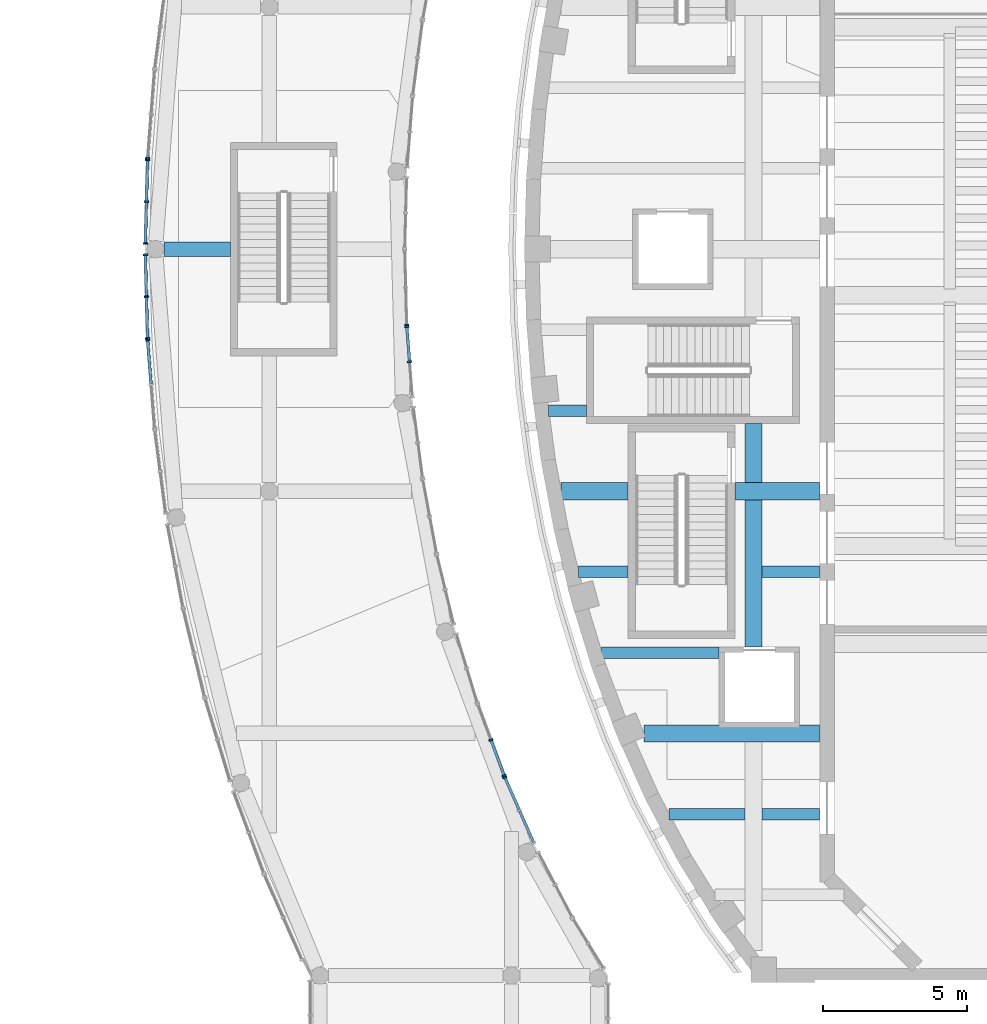
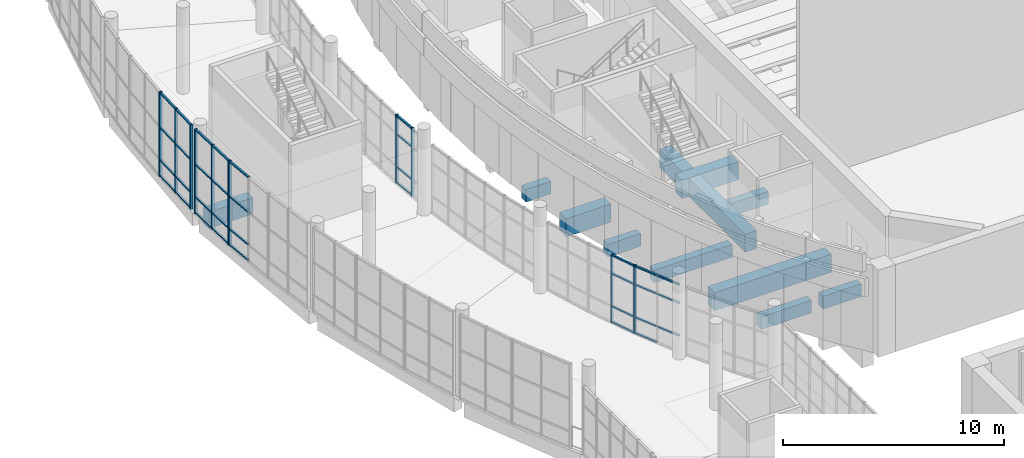
# One storey, part 18 of 119: 49 members, 11 beams, 8 elements without a shape of their own.
"""IFC4 building model written with IfcOpenShell, lengths in metres."""

from ifc_helpers import new_model, si_unit, direction, frame, origin, origin_2d, place, context, subcontext, project, spatial, rectangle, extrude, material, layer, layer_set, material_profile, profile_set, type_object, element, aggregate, save


model = new_model("IFC4")

# Units and contexts
model_context = context("Model", 3, precision=1e-05, world=origin(), true_north=direction((0.0, 1.0)))
body_context = subcontext(model_context, "Body", "Model", "MODEL_VIEW")
ifc_project = project(units=[si_unit("LENGTHUNIT", "METRE"), si_unit("AREAUNIT", "SQUARE_METRE"), si_unit("VOLUMEUNIT", "CUBIC_METRE"), si_unit("PLANEANGLEUNIT", "RADIAN"), si_unit("MASSUNIT", "GRAM", prefix="KILO")], contexts=[model_context])

# Site, building, storey
site_placement = place(None, origin())
site = spatial("IfcSite", under=ifc_project, at=site_placement, CompositionType="ELEMENT")
building_placement = place(site_placement, origin())
building = spatial("IfcBuilding", under=site, at=building_placement, Name="Larchfold Concert Hall", CompositionType="ELEMENT")
storey_placement = place(building_placement, frame((0.0, 0.0, 4.800048828125)))
storey = spatial("IfcBuildingStorey", under=building, at=storey_placement, Name="L01", CompositionType="ELEMENT", Elevation=4.800048828125)

# Curtain wall, member
ifc_material_1 = material(Name="Anodised graphite aluminium curtain wall", Category="aluminium")
ifc_layer = layer(ifc_material_1, 0.14990234375)
ifc_layer_set = layer_set([ifc_layer], Name="Anodised graphite aluminium curtain wall")
curtain_wall_type = type_object("IfcCurtainWallType", Name="Curtain wall WG", PredefinedType="NOTDEFINED", material=ifc_layer_set)
curtain_wall_1_placement = place(storey_placement, origin())
curtain_wall_1 = element("IfcCurtainWall", 1, at=curtain_wall_1_placement, inside=storey, type_object=curtain_wall_type, Name="Curtain wall CW0139", PredefinedType="NOTDEFINED")
ifc_material_2 = material(Name="Anodised graphite aluminium mullion", Category="aluminium")
ifc_material_profile_1 = material_profile(ifc_material_2, rectangle(XDim=0.14990234375, YDim=0.06005859375, at=origin_2d()))
ifc_profile_set_1 = profile_set([ifc_material_profile_1], Name="Anodised graphite aluminium mullion")
member_type_1 = type_object("IfcMemberType", Name="Aluminium mullion 60x150", PredefinedType="MULLION", material=ifc_profile_set_1)
member_1_placement = place(storey_placement, frame((17.16845703125, 66.276611328125, 0.0), z_axis=(0.0, 0.0, 1.0), x_axis=(-0.914747417506, -0.40402618995, 0.0)))
member_1 = element("IfcMember", 2, at=member_1_placement, type_object=member_type_1, Name="CW0139 mullion 3", PredefinedType="MULLION", context=body_context, shape_type="SweptSolid", body=[
    extrude(rectangle(XDim=0.14990234375, YDim=0.06005859375, at=origin_2d()), origin(), (0.0, 0.0, 1.0), 3.75),
])

# Curtain wall, members
curtain_wall_2_placement = place(storey_placement, origin())
curtain_wall_2 = element("IfcCurtainWall", 3, at=curtain_wall_2_placement, inside=storey, type_object=curtain_wall_type, Name="Curtain wall CW0140", PredefinedType="NOTDEFINED")
member_2_placement = place(storey_placement, frame((17.145751953125, 66.33203125, 0.0), z_axis=(0.0, 0.0, 1.0), x_axis=(-0.938001528432, -0.346631119, 0.0)))
member_2 = element("IfcMember", 4, at=member_2_placement, type_object=member_type_1, Name="CW0140 mullion 1", PredefinedType="MULLION", context=body_context, shape_type="SweptSolid", body=[
    extrude(rectangle(XDim=0.14990234375, YDim=0.06005859375, at=origin_2d()), origin(), (0.0, 0.0, 1.0), 3.75),
])
member_3_placement = place(storey_placement, frame((16.688232421875, 67.5703125, 0.0), z_axis=(0.0, 0.0, 1.0), x_axis=(-0.938001528432, -0.346631119, 0.0)))
member_3 = element("IfcMember", 5, at=member_3_placement, type_object=member_type_1, Name="CW0140 mullion 2", PredefinedType="MULLION", context=body_context, shape_type="SweptSolid", body=[
    extrude(rectangle(XDim=0.14990234375, YDim=0.06005859375, at=origin_2d()), origin(), (0.0, 0.0, 1.0), 3.75),
])

curtain_wall_3_placement = place(storey_placement, origin())
curtain_wall_3 = element("IfcCurtainWall", 6, at=curtain_wall_3_placement, inside=storey, type_object=curtain_wall_type, Name="Curtain wall CW0145", PredefinedType="NOTDEFINED")
member_4_placement = place(storey_placement, frame((13.8642578125, 80.693359375, 0.0), z_axis=(0.0, 0.0, 1.0), x_axis=(-0.996988627345, -0.077547900972, 0.0)))
member_4 = element("IfcMember", 7, at=member_4_placement, type_object=member_type_1, Name="CW0145 mullion 2", PredefinedType="MULLION", context=body_context, shape_type="SweptSolid", body=[
    extrude(rectangle(XDim=0.14990234375, YDim=0.06005859375, at=origin_2d()), origin(), (0.0, 0.0, 1.0), 3.75),
])
member_5_placement = place(storey_placement, frame((13.769775390625, 81.909423828125, 0.0), z_axis=(0.0, 0.0, 1.0), x_axis=(-0.996988627345, -0.077547900972, 0.0)))
member_5 = element("IfcMember", 8, at=member_5_placement, type_object=member_type_1, Name="CW0145 mullion 3", PredefinedType="MULLION", context=body_context, shape_type="SweptSolid", body=[
    extrude(rectangle(XDim=0.14990234375, YDim=0.06005859375, at=origin_2d()), origin(), (0.0, 0.0, 1.0), 3.75),
])

# Curtain wall, member
curtain_wall_4_placement = place(storey_placement, origin())
curtain_wall_4 = element("IfcCurtainWall", 9, at=curtain_wall_4_placement, inside=storey, type_object=curtain_wall_type, Name="Curtain wall CW0146", PredefinedType="NOTDEFINED")
member_6_placement = place(storey_placement, frame((13.7666015625, 81.969482421875, 0.0), z_axis=(0.0, 0.0, 1.0), x_axis=(-0.999667744222, -0.02577598033, 0.0)))
member_6 = element("IfcMember", 10, at=member_6_placement, type_object=member_type_1, Name="CW0146 mullion 1", PredefinedType="MULLION", context=body_context, shape_type="SweptSolid", body=[
    extrude(rectangle(XDim=0.14990234375, YDim=0.06005859375, at=origin_2d()), origin(), (0.0, 0.0, 1.0), 3.75),
])
aggregate(curtain_wall_4, [member_6])

curtain_wall_5_placement = place(storey_placement, origin())
curtain_wall_5 = element("IfcCurtainWall", 11, at=curtain_wall_5_placement, inside=storey, type_object=curtain_wall_type, Name="Curtain wall CW0194", PredefinedType="NOTDEFINED")
member_7_placement = place(storey_placement, frame((4.77880859375, 87.755859375, 0.0), z_axis=(0.0, 0.0, 1.0), x_axis=(0.996995051834, -0.077465260721, 0.0)))
member_7 = element("IfcMember", 12, at=member_7_placement, type_object=member_type_1, Name="CW0194 mullion 3", PredefinedType="MULLION", context=body_context, shape_type="SweptSolid", body=[
    extrude(rectangle(XDim=0.14990234375, YDim=0.06005859375, at=origin_2d()), origin(), (0.0, 0.0, 1.0), 4.64990234375),
])
aggregate(curtain_wall_5, [member_7])

# Curtain wall, members
curtain_wall_6_placement = place(storey_placement, origin())
curtain_wall_6 = element("IfcCurtainWall", 13, at=curtain_wall_6_placement, inside=storey, type_object=curtain_wall_type, Name="Curtain wall CW0195", PredefinedType="NOTDEFINED")
member_8_placement = place(storey_placement, frame((4.775634765625, 87.69580078125, 0.0), z_axis=(0.0, 0.0, 1.0), x_axis=(0.999666589289, -0.025820733125, 0.0)))
member_8 = element("IfcMember", 14, at=member_8_placement, type_object=member_type_1, Name="CW0195 mullion 1", PredefinedType="MULLION", context=body_context, shape_type="SweptSolid", body=[
    extrude(rectangle(XDim=0.14990234375, YDim=0.06005859375, at=origin_2d()), origin(), (0.0, 0.0, 1.0), 4.64990234375),
])
member_9_placement = place(storey_placement, frame((4.73828125, 86.24658203125, 0.0), z_axis=(0.0, 0.0, 1.0), x_axis=(0.999666589289, -0.025820733125, 0.0)))
member_9 = element("IfcMember", 15, at=member_9_placement, type_object=member_type_1, Name="CW0195 mullion 2", PredefinedType="MULLION", context=body_context, shape_type="SweptSolid", body=[
    extrude(rectangle(XDim=0.14990234375, YDim=0.06005859375, at=origin_2d()), origin(), (0.0, 0.0, 1.0), 4.64990234375),
])
member_10_placement = place(storey_placement, frame((4.70068359375, 84.79736328125, 0.0), z_axis=(0.0, 0.0, 1.0), x_axis=(0.999666589289, -0.025820733125, 0.0)))
member_10 = element("IfcMember", 16, at=member_10_placement, type_object=member_type_1, Name="CW0195 mullion 3", PredefinedType="MULLION", context=body_context, shape_type="SweptSolid", body=[
    extrude(rectangle(XDim=0.14990234375, YDim=0.06005859375, at=origin_2d()), origin(), (0.0, 0.0, 1.0), 4.64990234375),
])

curtain_wall_7_placement = place(storey_placement, origin())
curtain_wall_7 = element("IfcCurtainWall", 17, at=curtain_wall_7_placement, inside=storey, type_object=curtain_wall_type, Name="Curtain wall CW0196", PredefinedType="NOTDEFINED")
member_11_placement = place(storey_placement, frame((4.70068359375, 84.40283203125, 0.0), z_axis=(0.0, 0.0, 1.0), x_axis=(0.999666589289, 0.025820733125, 0.0)))
member_11 = element("IfcMember", 18, at=member_11_placement, type_object=member_type_1, Name="CW0196 mullion 1", PredefinedType="MULLION", context=body_context, shape_type="SweptSolid", body=[
    extrude(rectangle(XDim=0.14990234375, YDim=0.06005859375, at=origin_2d()), origin(), (0.0, 0.0, 1.0), 4.64990234375),
])
member_12_placement = place(storey_placement, frame((4.73828125, 82.95361328125, 0.0), z_axis=(0.0, 0.0, 1.0), x_axis=(0.999666589289, 0.025820733125, 0.0)))
member_12 = element("IfcMember", 19, at=member_12_placement, type_object=member_type_1, Name="CW0196 mullion 2", PredefinedType="MULLION", context=body_context, shape_type="SweptSolid", body=[
    extrude(rectangle(XDim=0.14990234375, YDim=0.06005859375, at=origin_2d()), origin(), (0.0, 0.0, 1.0), 4.64990234375),
])
member_13_placement = place(storey_placement, frame((4.775634765625, 81.50439453125, 0.0), z_axis=(0.0, 0.0, 1.0), x_axis=(0.999666589289, 0.025820733125, 0.0)))
member_13 = element("IfcMember", 20, at=member_13_placement, type_object=member_type_1, Name="CW0196 mullion 3", PredefinedType="MULLION", context=body_context, shape_type="SweptSolid", body=[
    extrude(rectangle(XDim=0.14990234375, YDim=0.06005859375, at=origin_2d()), origin(), (0.0, 0.0, 1.0), 4.64990234375),
])

# Curtain wall, member
curtain_wall_8_placement = place(storey_placement, origin())
curtain_wall_8 = element("IfcCurtainWall", 21, at=curtain_wall_8_placement, inside=storey, type_object=curtain_wall_type, Name="Curtain wall CW0197", PredefinedType="NOTDEFINED")
member_14_placement = place(storey_placement, frame((4.77880859375, 81.4443359375, 0.0), z_axis=(0.0, 0.0, 1.0), x_axis=(0.996995051833, 0.077465260739, 0.0)))
member_14 = element("IfcMember", 22, at=member_14_placement, type_object=member_type_1, Name="CW0197 mullion 1", PredefinedType="MULLION", context=body_context, shape_type="SweptSolid", body=[
    extrude(rectangle(XDim=0.14990234375, YDim=0.06005859375, at=origin_2d()), origin(), (0.0, 0.0, 1.0), 4.64990234375),
])

# Member
ifc_material_3 = material(Name="Anodised graphite aluminium transom", Category="aluminium")
ifc_material_profile_2 = material_profile(ifc_material_3, rectangle(XDim=0.10009765625, YDim=0.080078125, at=origin_2d()))
ifc_profile_set_2 = profile_set([ifc_material_profile_2], Name="Anodised graphite aluminium transom")
member_type_2 = type_object("IfcMemberType", Name="Aluminium transom 80x100", PredefinedType="USERDEFINED", material=ifc_profile_set_2)
member_15_placement = place(storey_placement, frame((18.163818359375, 64.02294921875, 0.89990234375), z_axis=(-0.403999745193, 0.914759097186, 0.0), x_axis=(-0.914759097186, -0.403999745193, 0.0)))
member_15 = element("IfcMember", 23, at=member_15_placement, type_object=member_type_2, Name="CW0139 transom 1.2", ObjectType="TRANSOM", PredefinedType="USERDEFINED", context=body_context, shape_type="SweptSolid", body=[
    extrude(rectangle(XDim=0.10009765625, YDim=0.080078125, at=origin_2d()), origin(), (0.0, 0.0, 1.0), 1.186767578125),
])

member_16_placement = place(storey_placement, frame((18.163818359375, 64.02294921875, 2.699951171875), z_axis=(-0.403999745193, 0.914759097186, 0.0), x_axis=(-0.914759097186, -0.403999745193, 0.0)))
member_16 = element("IfcMember", 24, at=member_16_placement, type_object=member_type_2, Name="CW0139 transom 1.3", ObjectType="TRANSOM", PredefinedType="USERDEFINED", context=body_context, shape_type="SweptSolid", body=[
    extrude(rectangle(XDim=0.10009765625, YDim=0.080078125, at=origin_2d()), origin(), (0.0, 0.0, 1.0), 1.186767578125),
])

member_17_placement = place(storey_placement, frame((18.163818359375, 64.02294921875, 3.7099609375), z_axis=(-0.403999745193, 0.914759097186, 0.0), x_axis=(-0.914759097186, -0.403999745193, 0.0)))
member_17 = element("IfcMember", 25, at=member_17_placement, type_object=member_type_2, Name="CW0139 transom 1.4", ObjectType="TRANSOM", PredefinedType="USERDEFINED", context=body_context, shape_type="SweptSolid", body=[
    extrude(rectangle(XDim=0.10009765625, YDim=0.080078125, at=origin_2d()), origin(), (0.0, 0.0, 1.0), 1.186767578125),
])

member_18_placement = place(storey_placement, frame((17.659912109375, 65.163330078125, 0.0400390625), z_axis=(-0.403999745193, 0.914759097186, 0.0), x_axis=(-0.914759097186, -0.403999745193, 0.0)))
member_18 = element("IfcMember", 26, at=member_18_placement, type_object=member_type_2, Name="CW0139 transom 2.1", ObjectType="TRANSOM", PredefinedType="USERDEFINED", context=body_context, shape_type="SweptSolid", body=[
    extrude(rectangle(XDim=0.10009765625, YDim=0.080078125, at=origin_2d()), origin(), (0.0, 0.0, 1.0), 1.186767578125),
])

member_19_placement = place(storey_placement, frame((17.659912109375, 65.163330078125, 0.89990234375), z_axis=(-0.403999745193, 0.914759097186, 0.0), x_axis=(-0.914759097186, -0.403999745193, 0.0)))
member_19 = element("IfcMember", 27, at=member_19_placement, type_object=member_type_2, Name="CW0139 transom 2.2", ObjectType="TRANSOM", PredefinedType="USERDEFINED", context=body_context, shape_type="SweptSolid", body=[
    extrude(rectangle(XDim=0.10009765625, YDim=0.080078125, at=origin_2d()), origin(), (0.0, 0.0, 1.0), 1.186767578125),
])

member_20_placement = place(storey_placement, frame((17.659912109375, 65.163330078125, 2.699951171875), z_axis=(-0.403999745193, 0.914759097186, 0.0), x_axis=(-0.914759097186, -0.403999745193, 0.0)))
member_20 = element("IfcMember", 28, at=member_20_placement, type_object=member_type_2, Name="CW0139 transom 2.3", ObjectType="TRANSOM", PredefinedType="USERDEFINED", context=body_context, shape_type="SweptSolid", body=[
    extrude(rectangle(XDim=0.10009765625, YDim=0.080078125, at=origin_2d()), origin(), (0.0, 0.0, 1.0), 1.186767578125),
])

member_21_placement = place(storey_placement, frame((17.659912109375, 65.163330078125, 3.7099609375), z_axis=(-0.403999745193, 0.914759097186, 0.0), x_axis=(-0.914759097186, -0.403999745193, 0.0)))
member_21 = element("IfcMember", 29, at=member_21_placement, type_object=member_type_2, Name="CW0139 transom 2.4", ObjectType="TRANSOM", PredefinedType="USERDEFINED", context=body_context, shape_type="SweptSolid", body=[
    extrude(rectangle(XDim=0.10009765625, YDim=0.080078125, at=origin_2d()), origin(), (0.0, 0.0, 1.0), 1.186767578125),
])

aggregate(curtain_wall_1, [member_1, member_15, member_16, member_17, member_18, member_19, member_20, member_21])

member_22_placement = place(storey_placement, frame((17.135498046875, 66.3603515625, 0.0400390625), z_axis=(-0.346639022733, 0.937998607631, 0.0), x_axis=(-0.937998607631, -0.346639022733, 0.0)))
member_22 = element("IfcMember", 30, at=member_22_placement, type_object=member_type_2, Name="CW0140 transom 1.1", ObjectType="TRANSOM", PredefinedType="USERDEFINED", context=body_context, shape_type="SweptSolid", body=[
    extrude(rectangle(XDim=0.10009765625, YDim=0.080078125, at=origin_2d()), origin(), (0.0, 0.0, 1.0), 1.260009765625),
])

member_23_placement = place(storey_placement, frame((17.135498046875, 66.3603515625, 0.89990234375), z_axis=(-0.346639022733, 0.937998607631, 0.0), x_axis=(-0.937998607631, -0.346639022733, 0.0)))
member_23 = element("IfcMember", 31, at=member_23_placement, type_object=member_type_2, Name="CW0140 transom 1.2", ObjectType="TRANSOM", PredefinedType="USERDEFINED", context=body_context, shape_type="SweptSolid", body=[
    extrude(rectangle(XDim=0.10009765625, YDim=0.080078125, at=origin_2d()), origin(), (0.0, 0.0, 1.0), 1.260009765625),
])

member_24_placement = place(storey_placement, frame((17.135498046875, 66.3603515625, 2.699951171875), z_axis=(-0.346639022733, 0.937998607631, 0.0), x_axis=(-0.937998607631, -0.346639022733, 0.0)))
member_24 = element("IfcMember", 32, at=member_24_placement, type_object=member_type_2, Name="CW0140 transom 1.3", ObjectType="TRANSOM", PredefinedType="USERDEFINED", context=body_context, shape_type="SweptSolid", body=[
    extrude(rectangle(XDim=0.10009765625, YDim=0.080078125, at=origin_2d()), origin(), (0.0, 0.0, 1.0), 1.260009765625),
])

member_25_placement = place(storey_placement, frame((17.135498046875, 66.3603515625, 3.7099609375), z_axis=(-0.346639022733, 0.937998607631, 0.0), x_axis=(-0.937998607631, -0.346639022733, 0.0)))
member_25 = element("IfcMember", 33, at=member_25_placement, type_object=member_type_2, Name="CW0140 transom 1.4", ObjectType="TRANSOM", PredefinedType="USERDEFINED", context=body_context, shape_type="SweptSolid", body=[
    extrude(rectangle(XDim=0.10009765625, YDim=0.080078125, at=origin_2d()), origin(), (0.0, 0.0, 1.0), 1.260009765625),
])

aggregate(curtain_wall_2, [member_2, member_3, member_22, member_23, member_24, member_25])

member_26_placement = place(storey_placement, frame((13.86181640625, 80.723388671875, 0.0400390625), z_axis=(-0.077469186407, 0.996994746805, 0.0), x_axis=(-0.996994746805, -0.077469186407, 0.0)))
member_26 = element("IfcMember", 34, at=member_26_placement, type_object=member_type_2, Name="CW0145 transom 2.1", ObjectType="TRANSOM", PredefinedType="USERDEFINED", context=body_context, shape_type="SweptSolid", body=[
    extrude(rectangle(XDim=0.10009765625, YDim=0.080078125, at=origin_2d()), origin(), (0.0, 0.0, 1.0), 1.15966796875),
])

member_27_placement = place(storey_placement, frame((13.86181640625, 80.723388671875, 0.89990234375), z_axis=(-0.077469186407, 0.996994746805, 0.0), x_axis=(-0.996994746805, -0.077469186407, 0.0)))
member_27 = element("IfcMember", 35, at=member_27_placement, type_object=member_type_2, Name="CW0145 transom 2.2", ObjectType="TRANSOM", PredefinedType="USERDEFINED", context=body_context, shape_type="SweptSolid", body=[
    extrude(rectangle(XDim=0.10009765625, YDim=0.080078125, at=origin_2d()), origin(), (0.0, 0.0, 1.0), 1.15966796875),
])

member_28_placement = place(storey_placement, frame((13.86181640625, 80.723388671875, 2.699951171875), z_axis=(-0.077469186407, 0.996994746805, 0.0), x_axis=(-0.996994746805, -0.077469186407, 0.0)))
member_28 = element("IfcMember", 36, at=member_28_placement, type_object=member_type_2, Name="CW0145 transom 2.3", ObjectType="TRANSOM", PredefinedType="USERDEFINED", context=body_context, shape_type="SweptSolid", body=[
    extrude(rectangle(XDim=0.10009765625, YDim=0.080078125, at=origin_2d()), origin(), (0.0, 0.0, 1.0), 1.15966796875),
])

member_29_placement = place(storey_placement, frame((13.86181640625, 80.723388671875, 3.7099609375), z_axis=(-0.077469186407, 0.996994746805, 0.0), x_axis=(-0.996994746805, -0.077469186407, 0.0)))
member_29 = element("IfcMember", 37, at=member_29_placement, type_object=member_type_2, Name="CW0145 transom 2.4", ObjectType="TRANSOM", PredefinedType="USERDEFINED", context=body_context, shape_type="SweptSolid", body=[
    extrude(rectangle(XDim=0.10009765625, YDim=0.080078125, at=origin_2d()), origin(), (0.0, 0.0, 1.0), 1.15966796875),
])

aggregate(curtain_wall_3, [member_4, member_5, member_26, member_27, member_28, member_29])

member_30_placement = place(storey_placement, frame((4.77490234375, 87.665771484375, 0.0400390625), z_axis=(-0.025826180657, -0.999666448568, 0.0), x_axis=(0.999666448568, -0.025826180657, 0.0)))
member_30 = element("IfcMember", 38, at=member_30_placement, type_object=member_type_2, Name="CW0195 transom 1.1", ObjectType="TRANSOM", PredefinedType="USERDEFINED", context=body_context, shape_type="SweptSolid", body=[
    extrude(rectangle(XDim=0.10009765625, YDim=0.080078125, at=origin_2d()), origin(), (0.0, 0.0, 1.0), 1.3896484375),
])

member_31_placement = place(storey_placement, frame((4.77490234375, 87.665771484375, 0.89990234375), z_axis=(-0.025826180657, -0.999666448568, 0.0), x_axis=(0.999666448568, -0.025826180657, 0.0)))
member_31 = element("IfcMember", 39, at=member_31_placement, type_object=member_type_2, Name="CW0195 transom 1.2", ObjectType="TRANSOM", PredefinedType="USERDEFINED", context=body_context, shape_type="SweptSolid", body=[
    extrude(rectangle(XDim=0.10009765625, YDim=0.080078125, at=origin_2d()), origin(), (0.0, 0.0, 1.0), 1.3896484375),
])

member_32_placement = place(storey_placement, frame((4.77490234375, 87.665771484375, 2.699951171875), z_axis=(-0.025826180657, -0.999666448568, 0.0), x_axis=(0.999666448568, -0.025826180657, 0.0)))
member_32 = element("IfcMember", 40, at=member_32_placement, type_object=member_type_2, Name="CW0195 transom 1.3", ObjectType="TRANSOM", PredefinedType="USERDEFINED", context=body_context, shape_type="SweptSolid", body=[
    extrude(rectangle(XDim=0.10009765625, YDim=0.080078125, at=origin_2d()), origin(), (0.0, 0.0, 1.0), 1.3896484375),
])

member_33_placement = place(storey_placement, frame((4.77490234375, 87.665771484375, 4.60986328125), z_axis=(-0.025826180657, -0.999666448568, 0.0), x_axis=(0.999666448568, -0.025826180657, 0.0)))
member_33 = element("IfcMember", 41, at=member_33_placement, type_object=member_type_2, Name="CW0195 transom 1.4", ObjectType="TRANSOM", PredefinedType="USERDEFINED", context=body_context, shape_type="SweptSolid", body=[
    extrude(rectangle(XDim=0.10009765625, YDim=0.080078125, at=origin_2d()), origin(), (0.0, 0.0, 1.0), 1.3896484375),
])

member_34_placement = place(storey_placement, frame((4.7373046875, 86.216552734375, 0.0400390625), z_axis=(-0.025826180657, -0.999666448568, 0.0), x_axis=(0.999666448568, -0.025826180657, 0.0)))
member_34 = element("IfcMember", 42, at=member_34_placement, type_object=member_type_2, Name="CW0195 transom 2.1", ObjectType="TRANSOM", PredefinedType="USERDEFINED", context=body_context, shape_type="SweptSolid", body=[
    extrude(rectangle(XDim=0.10009765625, YDim=0.080078125, at=origin_2d()), origin(), (0.0, 0.0, 1.0), 1.3896484375),
])

member_35_placement = place(storey_placement, frame((4.7373046875, 86.216552734375, 0.89990234375), z_axis=(-0.025826180657, -0.999666448568, 0.0), x_axis=(0.999666448568, -0.025826180657, 0.0)))
member_35 = element("IfcMember", 43, at=member_35_placement, type_object=member_type_2, Name="CW0195 transom 2.2", ObjectType="TRANSOM", PredefinedType="USERDEFINED", context=body_context, shape_type="SweptSolid", body=[
    extrude(rectangle(XDim=0.10009765625, YDim=0.080078125, at=origin_2d()), origin(), (0.0, 0.0, 1.0), 1.3896484375),
])

member_36_placement = place(storey_placement, frame((4.7373046875, 86.216552734375, 2.699951171875), z_axis=(-0.025826180657, -0.999666448568, 0.0), x_axis=(0.999666448568, -0.025826180657, 0.0)))
member_36 = element("IfcMember", 44, at=member_36_placement, type_object=member_type_2, Name="CW0195 transom 2.3", ObjectType="TRANSOM", PredefinedType="USERDEFINED", context=body_context, shape_type="SweptSolid", body=[
    extrude(rectangle(XDim=0.10009765625, YDim=0.080078125, at=origin_2d()), origin(), (0.0, 0.0, 1.0), 1.3896484375),
])

member_37_placement = place(storey_placement, frame((4.7373046875, 86.216552734375, 4.60986328125), z_axis=(-0.025826180657, -0.999666448568, 0.0), x_axis=(0.999666448568, -0.025826180657, 0.0)))
member_37 = element("IfcMember", 45, at=member_37_placement, type_object=member_type_2, Name="CW0195 transom 2.4", ObjectType="TRANSOM", PredefinedType="USERDEFINED", context=body_context, shape_type="SweptSolid", body=[
    extrude(rectangle(XDim=0.10009765625, YDim=0.080078125, at=origin_2d()), origin(), (0.0, 0.0, 1.0), 1.3896484375),
])

aggregate(curtain_wall_6, [member_8, member_9, member_10, member_30, member_31, member_32, member_33, member_34, member_35, member_36, member_37])

member_38_placement = place(storey_placement, frame((4.701416015625, 84.372802734375, 0.0400390625), z_axis=(0.025826180657, -0.999666448568, 0.0), x_axis=(0.999666448568, 0.025826180657, 0.0)))
member_38 = element("IfcMember", 46, at=member_38_placement, type_object=member_type_2, Name="CW0196 transom 1.1", ObjectType="TRANSOM", PredefinedType="USERDEFINED", context=body_context, shape_type="SweptSolid", body=[
    extrude(rectangle(XDim=0.10009765625, YDim=0.080078125, at=origin_2d()), origin(), (0.0, 0.0, 1.0), 1.3896484375),
])

member_39_placement = place(storey_placement, frame((4.701416015625, 84.372802734375, 0.89990234375), z_axis=(0.025826180657, -0.999666448568, 0.0), x_axis=(0.999666448568, 0.025826180657, 0.0)))
member_39 = element("IfcMember", 47, at=member_39_placement, type_object=member_type_2, Name="CW0196 transom 1.2", ObjectType="TRANSOM", PredefinedType="USERDEFINED", context=body_context, shape_type="SweptSolid", body=[
    extrude(rectangle(XDim=0.10009765625, YDim=0.080078125, at=origin_2d()), origin(), (0.0, 0.0, 1.0), 1.3896484375),
])

member_40_placement = place(storey_placement, frame((4.701416015625, 84.372802734375, 2.699951171875), z_axis=(0.025826180657, -0.999666448568, 0.0), x_axis=(0.999666448568, 0.025826180657, 0.0)))
member_40 = element("IfcMember", 48, at=member_40_placement, type_object=member_type_2, Name="CW0196 transom 1.3", ObjectType="TRANSOM", PredefinedType="USERDEFINED", context=body_context, shape_type="SweptSolid", body=[
    extrude(rectangle(XDim=0.10009765625, YDim=0.080078125, at=origin_2d()), origin(), (0.0, 0.0, 1.0), 1.3896484375),
])

member_41_placement = place(storey_placement, frame((4.701416015625, 84.372802734375, 4.60986328125), z_axis=(0.025826180657, -0.999666448568, 0.0), x_axis=(0.999666448568, 0.025826180657, 0.0)))
member_41 = element("IfcMember", 49, at=member_41_placement, type_object=member_type_2, Name="CW0196 transom 1.4", ObjectType="TRANSOM", PredefinedType="USERDEFINED", context=body_context, shape_type="SweptSolid", body=[
    extrude(rectangle(XDim=0.10009765625, YDim=0.080078125, at=origin_2d()), origin(), (0.0, 0.0, 1.0), 1.3896484375),
])

member_42_placement = place(storey_placement, frame((4.739013671875, 82.923583984375, 0.0400390625), z_axis=(0.025826180657, -0.999666448568, 0.0), x_axis=(0.999666448568, 0.025826180657, 0.0)))
member_42 = element("IfcMember", 50, at=member_42_placement, type_object=member_type_2, Name="CW0196 transom 2.1", ObjectType="TRANSOM", PredefinedType="USERDEFINED", context=body_context, shape_type="SweptSolid", body=[
    extrude(rectangle(XDim=0.10009765625, YDim=0.080078125, at=origin_2d()), origin(), (0.0, 0.0, 1.0), 1.3896484375),
])

member_43_placement = place(storey_placement, frame((4.739013671875, 82.923583984375, 0.89990234375), z_axis=(0.025826180657, -0.999666448568, 0.0), x_axis=(0.999666448568, 0.025826180657, 0.0)))
member_43 = element("IfcMember", 51, at=member_43_placement, type_object=member_type_2, Name="CW0196 transom 2.2", ObjectType="TRANSOM", PredefinedType="USERDEFINED", context=body_context, shape_type="SweptSolid", body=[
    extrude(rectangle(XDim=0.10009765625, YDim=0.080078125, at=origin_2d()), origin(), (0.0, 0.0, 1.0), 1.3896484375),
])

member_44_placement = place(storey_placement, frame((4.739013671875, 82.923583984375, 2.699951171875), z_axis=(0.025826180657, -0.999666448568, 0.0), x_axis=(0.999666448568, 0.025826180657, 0.0)))
member_44 = element("IfcMember", 52, at=member_44_placement, type_object=member_type_2, Name="CW0196 transom 2.3", ObjectType="TRANSOM", PredefinedType="USERDEFINED", context=body_context, shape_type="SweptSolid", body=[
    extrude(rectangle(XDim=0.10009765625, YDim=0.080078125, at=origin_2d()), origin(), (0.0, 0.0, 1.0), 1.3896484375),
])

member_45_placement = place(storey_placement, frame((4.739013671875, 82.923583984375, 4.60986328125), z_axis=(0.025826180657, -0.999666448568, 0.0), x_axis=(0.999666448568, 0.025826180657, 0.0)))
member_45 = element("IfcMember", 53, at=member_45_placement, type_object=member_type_2, Name="CW0196 transom 2.4", ObjectType="TRANSOM", PredefinedType="USERDEFINED", context=body_context, shape_type="SweptSolid", body=[
    extrude(rectangle(XDim=0.10009765625, YDim=0.080078125, at=origin_2d()), origin(), (0.0, 0.0, 1.0), 1.3896484375),
])

aggregate(curtain_wall_7, [member_11, member_12, member_13, member_38, member_39, member_40, member_41, member_42, member_43, member_44, member_45])

member_46_placement = place(storey_placement, frame((4.781005859375, 81.41455078125, 0.0400390625), z_axis=(0.077391996533, -0.997000741661, 0.0), x_axis=(0.997000741661, 0.077391996533, 0.0)))
member_46 = element("IfcMember", 54, at=member_46_placement, type_object=member_type_2, Name="CW0197 transom 1.1", ObjectType="TRANSOM", PredefinedType="USERDEFINED", context=body_context, shape_type="SweptSolid", body=[
    extrude(rectangle(XDim=0.10009765625, YDim=0.080078125, at=origin_2d()), origin(), (0.0, 0.0, 1.0), 1.476318359375),
])

member_47_placement = place(storey_placement, frame((4.781005859375, 81.41455078125, 0.89990234375), z_axis=(0.077391996533, -0.997000741661, 0.0), x_axis=(0.997000741661, 0.077391996533, 0.0)))
member_47 = element("IfcMember", 55, at=member_47_placement, type_object=member_type_2, Name="CW0197 transom 1.2", ObjectType="TRANSOM", PredefinedType="USERDEFINED", context=body_context, shape_type="SweptSolid", body=[
    extrude(rectangle(XDim=0.10009765625, YDim=0.080078125, at=origin_2d()), origin(), (0.0, 0.0, 1.0), 1.476318359375),
])

member_48_placement = place(storey_placement, frame((4.781005859375, 81.41455078125, 2.699951171875), z_axis=(0.077391996533, -0.997000741661, 0.0), x_axis=(0.997000741661, 0.077391996533, 0.0)))
member_48 = element("IfcMember", 56, at=member_48_placement, type_object=member_type_2, Name="CW0197 transom 1.3", ObjectType="TRANSOM", PredefinedType="USERDEFINED", context=body_context, shape_type="SweptSolid", body=[
    extrude(rectangle(XDim=0.10009765625, YDim=0.080078125, at=origin_2d()), origin(), (0.0, 0.0, 1.0), 1.476318359375),
])

member_49_placement = place(storey_placement, frame((4.781005859375, 81.41455078125, 4.60986328125), z_axis=(0.077391996533, -0.997000741661, 0.0), x_axis=(0.997000741661, 0.077391996533, 0.0)))
member_49 = element("IfcMember", 57, at=member_49_placement, type_object=member_type_2, Name="CW0197 transom 1.4", ObjectType="TRANSOM", PredefinedType="USERDEFINED", context=body_context, shape_type="SweptSolid", body=[
    extrude(rectangle(XDim=0.10009765625, YDim=0.080078125, at=origin_2d()), origin(), (0.0, 0.0, 1.0), 1.476318359375),
])

aggregate(curtain_wall_8, [member_14, member_46, member_47, member_48, member_49])

# Beams
ifc_material_4 = material(Name="Concrete C35/45", Category="concrete")
ifc_material_profile_3 = material_profile(ifc_material_4, rectangle(XDim=0.39990234375, YDim=0.699951171875, at=origin_2d()))
ifc_profile_set_3 = profile_set([ifc_material_profile_3], Name="Concrete C35/45")
beam_type_1 = type_object("IfcBeamType", Name="Beam RC 400x700", PredefinedType="BEAM", material=ifc_profile_set_3)
beam_1_placement = place(storey_placement, frame((22.860107421875, 65.0, -0.550048828125), z_axis=(1.0, 0.0, 0.0), x_axis=(0.0, 1.0, 0.0)))
element("IfcBeam", 58, at=beam_1_placement, inside=storey, type_object=beam_type_1, Name="Beam B1223", PredefinedType="BEAM", context=body_context, shape_type="SweptSolid", body=[
    extrude(rectangle(XDim=0.39990234375, YDim=0.699951171875, at=origin_2d()), origin(), (0.0, 0.0, 1.0), 2.639892578125),
])
beam_2_placement = place(storey_placement, frame((26.10009765625, 65.0, -0.550048828125), z_axis=(1.0, 0.0, 0.0), x_axis=(0.0, 1.0, 0.0)))
element("IfcBeam", 59, at=beam_2_placement, inside=storey, type_object=beam_type_1, Name="Beam B1224", PredefinedType="BEAM", context=body_context, shape_type="SweptSolid", body=[
    extrude(rectangle(XDim=0.39990234375, YDim=0.699951171875, at=origin_2d()), origin(), (0.0, 0.0, 1.0), 1.989990234375),
])
beam_3_placement = place(storey_placement, frame((20.525634765625, 70.60009765625, -0.550048828125), z_axis=(1.0, 0.0, 0.0), x_axis=(0.0, 1.0, 0.0)))
element("IfcBeam", 60, at=beam_3_placement, inside=storey, type_object=beam_type_1, Name="Beam B1227", PredefinedType="BEAM", context=body_context, shape_type="SweptSolid", body=[
    extrude(rectangle(XDim=0.39990234375, YDim=0.699951171875, at=origin_2d()), origin(), (0.0, 0.0, 1.0), 4.074462890625),
])
beam_4_placement = place(storey_placement, frame((19.72119140625, 73.39990234375, -0.550048828125), z_axis=(1.0, 0.0, 0.0), x_axis=(0.0, 1.0, 0.0)))
element("IfcBeam", 61, at=beam_4_placement, inside=storey, type_object=beam_type_1, Name="Beam B1229", PredefinedType="BEAM", context=body_context, shape_type="SweptSolid", body=[
    extrude(rectangle(XDim=0.39990234375, YDim=0.699951171875, at=origin_2d()), origin(), (0.0, 0.0, 1.0), 1.728759765625),
])
beam_5_placement = place(storey_placement, frame((26.10009765625, 73.39990234375, -0.550048828125), z_axis=(1.0, 0.0, 0.0), x_axis=(0.0, 1.0, 0.0)))
element("IfcBeam", 62, at=beam_5_placement, inside=storey, type_object=beam_type_1, Name="Beam B1230", PredefinedType="BEAM", context=body_context, shape_type="SweptSolid", body=[
    extrude(rectangle(XDim=0.39990234375, YDim=0.699951171875, at=origin_2d()), origin(), (0.0, 0.0, 1.0), 1.989990234375),
])
beam_6_placement = place(storey_placement, frame((18.68017578125, 79.0, -0.550048828125), z_axis=(1.0, 0.0, 0.0), x_axis=(0.0, 1.0, 0.0)))
element("IfcBeam", 63, at=beam_6_placement, inside=storey, type_object=beam_type_1, Name="Beam B1233", PredefinedType="BEAM", context=body_context, shape_type="SweptSolid", body=[
    extrude(rectangle(XDim=0.39990234375, YDim=0.699951171875, at=origin_2d()), origin(), (0.0, 0.0, 1.0), 1.31982421875),
])
ifc_material_5 = material(Name="Concrete C35/45", Category="concrete")
ifc_material_profile_4 = material_profile(ifc_material_5, rectangle(XDim=0.5, YDim=0.89990234375, at=origin_2d()))
ifc_profile_set_4 = profile_set([ifc_material_profile_4], Name="Concrete C35/45")
beam_type_2 = type_object("IfcBeamType", Name="Beam RC 500x900", PredefinedType="BEAM", material=ifc_profile_set_4)
beam_7_placement = place(storey_placement, frame((5.3447265625, 84.60009765625, -0.60009765625), z_axis=(1.0, 0.0, 0.0), x_axis=(0.0, 1.0, 0.0)))
element("IfcBeam", 64, at=beam_7_placement, inside=storey, type_object=beam_type_2, Name="Beam B1922", PredefinedType="BEAM", context=body_context, shape_type="SweptSolid", body=[
    extrude(rectangle(XDim=0.5, YDim=0.89990234375, at=origin_2d()), origin(), (0.0, 0.0, 1.0), 2.30517578125),
])
ifc_material_6 = material(Name="Concrete C35/45", Category="concrete")
ifc_material_profile_5 = material_profile(ifc_material_6, rectangle(XDim=0.60009765625, YDim=1.0, at=origin_2d()))
ifc_profile_set_5 = profile_set([ifc_material_profile_5], Name="Concrete C35/45")
beam_type_3 = type_object("IfcBeamType", Name="Beam RC 600x1000", PredefinedType="BEAM", material=ifc_profile_set_5)
beam_8_placement = place(storey_placement, frame((25.800048828125, 70.800048828125, -0.699951171875), z_axis=(0.0, 1.0, 0.0), x_axis=(-1.0, 0.0, 0.0)))
element("IfcBeam", 65, at=beam_8_placement, inside=storey, type_object=beam_type_3, Name="Beam B1184", PredefinedType="BEAM", context=body_context, shape_type="SweptSolid", body=[
    extrude(rectangle(XDim=0.60009765625, YDim=1.0, at=origin_2d()), origin(), (0.0, 0.0, 1.0), 7.75),
])
beam_9_placement = place(storey_placement, frame((22.001708984375, 67.800048828125, -0.699951171875), z_axis=(1.0, 0.0, 0.0), x_axis=(0.0, 1.0, 0.0)))
element("IfcBeam", 66, at=beam_9_placement, inside=storey, type_object=beam_type_3, Name="Beam B1197", PredefinedType="BEAM", context=body_context, shape_type="SweptSolid", body=[
    extrude(rectangle(XDim=0.60009765625, YDim=1.0, at=origin_2d()), origin(), (0.0, 0.0, 1.0), 6.08837890625),
])
beam_10_placement = place(storey_placement, frame((19.1103515625, 76.199951171875, -0.699951171875), z_axis=(1.0, 0.0, 0.0), x_axis=(0.0, 1.0, 0.0)))
element("IfcBeam", 67, at=beam_10_placement, inside=storey, type_object=beam_type_3, Name="Beam B1199", PredefinedType="BEAM", context=body_context, shape_type="SweptSolid", body=[
    extrude(rectangle(XDim=0.60009765625, YDim=1.0, at=origin_2d()), origin(), (0.0, 0.0, 1.0), 2.339599609375),
])
beam_11_placement = place(storey_placement, frame((25.14990234375, 76.199951171875, -0.699951171875), z_axis=(1.0, 0.0, 0.0), x_axis=(0.0, 1.0, 0.0)))
element("IfcBeam", 68, at=beam_11_placement, inside=storey, type_object=beam_type_3, Name="Beam B1200", PredefinedType="BEAM", context=body_context, shape_type="SweptSolid", body=[
    extrude(rectangle(XDim=0.60009765625, YDim=1.0, at=origin_2d()), origin(), (0.0, 0.0, 1.0), 2.940185546875),
])

save(model, "model.ifc")
